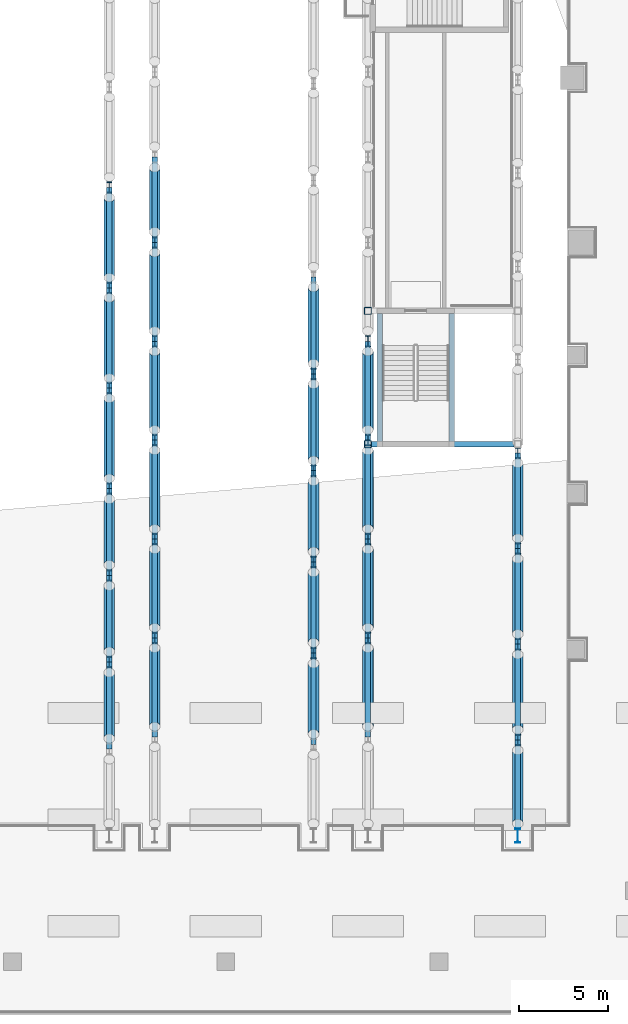
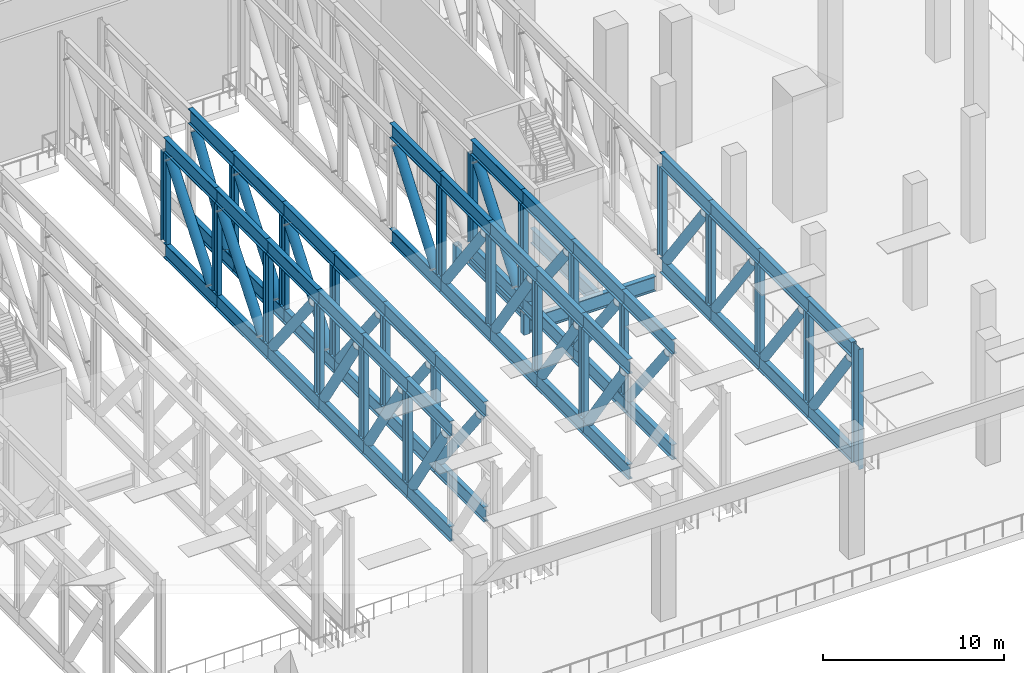
# One storey, part 5 of 33: 101 members, 3 beams.
"""IFC4 building model written with IfcOpenShell, lengths in metres."""

from ifc_helpers import new_model, si_unit, direction, frame, origin, origin_2d, place, context, subcontext, project, spatial, hollow_rectangle, hollow_circle, i_section, extrude, material, material_profile, profile_set, type_object, element, save


model = new_model("IFC4")

# Units and contexts
model_context = context("Model", 3, precision=1e-05, world=origin(), true_north=direction((0.0, 1.0)))
body_context = subcontext(model_context, "Body", "Model", "MODEL_VIEW")
ifc_project = project(units=[si_unit("LENGTHUNIT", "METRE"), si_unit("AREAUNIT", "SQUARE_METRE"), si_unit("VOLUMEUNIT", "CUBIC_METRE"), si_unit("PLANEANGLEUNIT", "RADIAN"), si_unit("MASSUNIT", "GRAM", prefix="KILO")], contexts=[model_context])

# Site, building, storey
site_placement = place(None, origin())
site = spatial("IfcSite", under=ifc_project, at=site_placement, CompositionType="ELEMENT")
building_placement = place(site_placement, origin())
building = spatial("IfcBuilding", under=site, at=building_placement, Name="Wharfspan Tower", CompositionType="ELEMENT")
storey_placement = place(building_placement, frame((0.0, 0.0, 33.0)))
storey = spatial("IfcBuildingStorey", under=building, at=storey_placement, Name="L05", CompositionType="ELEMENT", Elevation=33.0)

# Beams
ifc_material_1 = material(Name="Steel S460M", Category="steel")
ifc_material_profile_1 = material_profile(ifc_material_1, i_section(OverallWidth=0.302002, OverallDepth=1.008057, WebThickness=0.020996, FlangeThickness=0.040039, FilletRadius=0.030029, at=origin_2d()))
ifc_profile_set_1 = profile_set([ifc_material_profile_1], Name="Steel S460M")
beam_type = type_object("IfcBeamType", Name="Transfer girder HE 1000 M", PredefinedType="BEAM", material=ifc_profile_set_1)
beam_placement = place(storey_placement, frame((72.199951, 0.14209, -0.954102), z_axis=(1.0, 0.0, 0.0), x_axis=(0.0, 1.0, 0.0)))
element("IfcBeam", 1, at=beam_placement, inside=storey, type_object=beam_type, Name="Transfer girder", PredefinedType="BEAM", context=body_context, shape_type="SweptSolid", body=[
    extrude(i_section(OverallWidth=0.302002, OverallDepth=1.008057, WebThickness=0.020996, FlangeThickness=0.040039, FilletRadius=0.030029, at=origin_2d()), origin(), (0.0, 0.0, 1.0), 8.041992),
])
for number, where, z_axis, x_axis, name in (
    (2, (72.66748, 0.292969, -0.954102), (0.0, 1.0, 0.0), (-1.0, 0.0, 0.0), "Transfer girder"),
    (3, (76.717529, 0.292969, -0.954102), (0.0, 1.0, 0.0), (-1.0, 0.0, 0.0), "Transfer girder"),
):
    element("IfcBeam", number, at=place(storey_placement, frame(where, z_axis=z_axis, x_axis=x_axis)), inside=storey, type_object=beam_type, Name=name, PredefinedType="BEAM", context=body_context, shape_type="SweptSolid", body=[
        extrude(i_section(OverallWidth=0.302002, OverallDepth=1.008057, WebThickness=0.020996, FlangeThickness=0.040039, FilletRadius=0.030029, at=origin_2d()), origin(), (0.0, 0.0, 1.0), 7.197998),
    ])

# Members
ifc_material_2 = material(Name="Steel S460NH", Category="steel")
ifc_material_profile_2 = material_profile(ifc_material_2, hollow_rectangle(XDim=0.399902, YDim=0.399902, WallThickness=0.02002, InnerFilletRadius=0.02002, OuterFilletRadius=0.040039, at=origin_2d()))
ifc_profile_set_2 = profile_set([ifc_material_profile_2], Name="Steel S460NH")
member_type_1 = type_object("IfcMemberType", Name="Transfer hanger SHS 400x400x20", PredefinedType="POST", material=ifc_profile_set_2)
for number, where, z_axis, x_axis, name in (
    (4, (72.0, 0.14209, -1.458008), (0.0, 0.0, 1.0), (1.0, 0.0, 0.0), "Transfer hanger"),
    (5, (72.0, 7.64209, -1.458008), (0.0, 0.0, 1.0), (1.0, 0.0, 0.0), "Transfer hanger"),
):
    element("IfcMember", number, at=place(storey_placement, frame(where, z_axis=z_axis, x_axis=x_axis)), inside=storey, type_object=member_type_1, Name=name, PredefinedType="POST", context=body_context, shape_type="SweptSolid", body=[
        extrude(hollow_rectangle(XDim=0.399902, YDim=0.399902, WallThickness=0.02002, InnerFilletRadius=0.02002, OuterFilletRadius=0.040039, at=origin_2d()), origin(), (0.0, 0.0, 1.0), 1.458008),
    ])
ifc_material_profile_3 = material_profile(ifc_material_2, hollow_circle(Radius=0.304932, WallThickness=0.030029, at=origin_2d()))
ifc_profile_set_3 = profile_set([ifc_material_profile_3], Name="Steel S460NH")
member_type_2 = type_object("IfcMemberType", Name="Truss member CHS 610x30", PredefinedType="BRACE", material=ifc_profile_set_3)
member_1_placement = place(storey_placement, frame((57.441895, -16.424072, 6.933105), z_axis=(0.0, 0.540379, -0.841421), x_axis=(-1.0, 0.0, 0.0)))
element("IfcMember", 6, at=member_1_placement, inside=storey, type_object=member_type_2, Name="Truss diagonal T8", PredefinedType="BRACE", context=body_context, shape_type="SweptSolid", body=[
    extrude(hollow_circle(Radius=0.304932, WallThickness=0.030029, at=origin_2d()), origin(), (0.0, 0.0, 1.0), 6.852783),
])
member_2_placement = place(storey_placement, frame((57.441895, -11.539062, 6.933105), z_axis=(0.0, 0.540279, -0.841486), x_axis=(-1.0, 0.0, 0.0)))
element("IfcMember", 7, at=member_2_placement, inside=storey, type_object=member_type_2, Name="Truss diagonal T8", PredefinedType="BRACE", context=body_context, shape_type="SweptSolid", body=[
    extrude(hollow_circle(Radius=0.304932, WallThickness=0.030029, at=origin_2d()), origin(), (0.0, 0.0, 1.0), 6.852295),
])
member_3_placement = place(storey_placement, frame((57.441895, -6.655029, 6.933105), z_axis=(0.0, 0.540379, -0.841421), x_axis=(-1.0, 0.0, 0.0)))
element("IfcMember", 8, at=member_3_placement, inside=storey, type_object=member_type_2, Name="Truss diagonal T8", PredefinedType="BRACE", context=body_context, shape_type="SweptSolid", body=[
    extrude(hollow_circle(Radius=0.304932, WallThickness=0.030029, at=origin_2d()), origin(), (0.0, 0.0, 1.0), 6.852783),
])
for number, where, z_axis, x_axis, name in (
    (9, (57.441895, -1.784912, 6.910156), (0.0, 0.618256, -0.785977), (-1.0, 0.0, 0.0), "Truss diagonal T8"),
    (10, (57.441895, 8.366943, 6.910156), (0.0, -0.618256, -0.785977), (1.0, 0.0, 0.0), "Truss diagonal T8"),
):
    element("IfcMember", number, at=place(storey_placement, frame(where, z_axis=z_axis, x_axis=x_axis)), inside=storey, type_object=member_type_2, Name=name, PredefinedType="BRACE", context=body_context, shape_type="SweptSolid", body=[
        extrude(hollow_circle(Radius=0.304932, WallThickness=0.030029, at=origin_2d()), origin(), (0.0, 0.0, 1.0), 7.278076),
    ])
member_4_placement = place(storey_placement, frame((57.441895, 14.019775, 6.910156), z_axis=(0.0, -0.618338, -0.785912), x_axis=(1.0, 0.0, 0.0)))
element("IfcMember", 11, at=member_4_placement, inside=storey, type_object=member_type_2, Name="Truss diagonal T8", PredefinedType="BRACE", context=body_context, shape_type="SweptSolid", body=[
    extrude(hollow_circle(Radius=0.304932, WallThickness=0.030029, at=origin_2d()), origin(), (0.0, 0.0, 1.0), 7.278809),
])
member_5_placement = place(storey_placement, frame((60.0, -15.755127, 6.912598), z_axis=(0.0, 0.610274, -0.792191), x_axis=(-1.0, 0.0, 0.0)))
element("IfcMember", 12, at=member_5_placement, inside=storey, type_object=member_type_2, Name="Truss diagonal T9", PredefinedType="BRACE", context=body_context, shape_type="SweptSolid", body=[
    extrude(hollow_circle(Radius=0.304932, WallThickness=0.030029, at=origin_2d()), origin(), (0.0, 0.0, 1.0), 7.226807),
])
member_6_placement = place(storey_placement, frame((60.0, -10.189209, 6.912598), z_axis=(0.0, 0.610359, -0.792125), x_axis=(-1.0, 0.0, 0.0)))
element("IfcMember", 13, at=member_6_placement, inside=storey, type_object=member_type_2, Name="Truss diagonal T9", PredefinedType="BRACE", context=body_context, shape_type="SweptSolid", body=[
    extrude(hollow_circle(Radius=0.304932, WallThickness=0.030029, at=origin_2d()), origin(), (0.0, 0.0, 1.0), 7.227539),
])
member_7_placement = place(storey_placement, frame((60.0, -4.622314, 6.912598), z_axis=(0.0, 0.61038, -0.792109), x_axis=(-1.0, 0.0, 0.0)))
element("IfcMember", 14, at=member_7_placement, inside=storey, type_object=member_type_2, Name="Truss diagonal T9", PredefinedType="BRACE", context=body_context, shape_type="SweptSolid", body=[
    extrude(hollow_circle(Radius=0.304932, WallThickness=0.030029, at=origin_2d()), origin(), (0.0, 0.0, 1.0), 7.227783),
])
member_8_placement = place(storey_placement, frame((60.0, 5.355225, 6.912598), z_axis=(0.0, -0.610274, -0.792191), x_axis=(1.0, 0.0, 0.0)))
element("IfcMember", 15, at=member_8_placement, inside=storey, type_object=member_type_2, Name="Truss diagonal T9", PredefinedType="BRACE", context=body_context, shape_type="SweptSolid", body=[
    extrude(hollow_circle(Radius=0.304932, WallThickness=0.030029, at=origin_2d()), origin(), (0.0, 0.0, 1.0), 7.226807),
])
member_9_placement = place(storey_placement, frame((60.0, 10.922119, 6.912598), z_axis=(0.0, -0.610359, -0.792125), x_axis=(1.0, 0.0, 0.0)))
element("IfcMember", 16, at=member_9_placement, inside=storey, type_object=member_type_2, Name="Truss diagonal T9", PredefinedType="BRACE", context=body_context, shape_type="SweptSolid", body=[
    extrude(hollow_circle(Radius=0.304932, WallThickness=0.030029, at=origin_2d()), origin(), (0.0, 0.0, 1.0), 7.227539),
])
member_10_placement = place(storey_placement, frame((60.0, 15.70752, 6.935791), z_axis=(0.0, -0.530824, -0.847482), x_axis=(1.0, 0.0, 0.0)))
element("IfcMember", 17, at=member_10_placement, inside=storey, type_object=member_type_2, Name="Truss diagonal T9", PredefinedType="BRACE", context=body_context, shape_type="SweptSolid", body=[
    extrude(hollow_circle(Radius=0.304932, WallThickness=0.030029, at=origin_2d()), origin(), (0.0, 0.0, 1.0), 6.810059),
])
member_11_placement = place(storey_placement, frame((68.941895, -16.177979, 6.925049), z_axis=(0.0, 0.567651, -0.823269), x_axis=(-1.0, 0.0, 0.0)))
element("IfcMember", 18, at=member_11_placement, inside=storey, type_object=member_type_2, Name="Truss diagonal T10", PredefinedType="BRACE", context=body_context, shape_type="SweptSolid", body=[
    extrude(hollow_circle(Radius=0.304932, WallThickness=0.030029, at=origin_2d()), origin(), (0.0, 0.0, 1.0), 6.984619),
])
for number, where, z_axis, x_axis, name in (
    (19, (68.941895, -11.041016, 6.925049), (0.0, 0.567556, -0.823334), (-1.0, 0.0, 0.0), "Truss diagonal T10"),
    (20, (68.941895, -5.905029, 6.925049), (0.0, 0.567556, -0.823334), (-1.0, 0.0, 0.0), "Truss diagonal T10"),
):
    element("IfcMember", number, at=place(storey_placement, frame(where, z_axis=z_axis, x_axis=x_axis)), inside=storey, type_object=member_type_2, Name=name, PredefinedType="BRACE", context=body_context, shape_type="SweptSolid", body=[
        extrude(hollow_circle(Radius=0.304932, WallThickness=0.030029, at=origin_2d()), origin(), (0.0, 0.0, 1.0), 6.984131),
    ])
for number, where, z_axis, x_axis, name in (
    (21, (68.941895, -0.774902, 6.915771), (0.0, 0.599307, -0.800519), (-1.0, 0.0, 0.0), "Truss diagonal T10"),
    (22, (68.941895, 8.967041, 6.915771), (0.0, -0.599307, -0.800519), (1.0, 0.0, 0.0), "Truss diagonal T10"),
):
    element("IfcMember", number, at=place(storey_placement, frame(where, z_axis=z_axis, x_axis=x_axis)), inside=storey, type_object=member_type_2, Name=name, PredefinedType="BRACE", context=body_context, shape_type="SweptSolid", body=[
        extrude(hollow_circle(Radius=0.304932, WallThickness=0.030029, at=origin_2d()), origin(), (0.0, 0.0, 1.0), 7.159912),
    ])
member_12_placement = place(storey_placement, frame((72.0, -15.755127, 6.912598), z_axis=(0.0, 0.610274, -0.792191), x_axis=(-1.0, 0.0, 0.0)))
element("IfcMember", 23, at=member_12_placement, inside=storey, type_object=member_type_2, Name="Truss diagonal T11", PredefinedType="BRACE", context=body_context, shape_type="SweptSolid", body=[
    extrude(hollow_circle(Radius=0.304932, WallThickness=0.030029, at=origin_2d()), origin(), (0.0, 0.0, 1.0), 7.226807),
])
member_13_placement = place(storey_placement, frame((72.0, -10.189209, 6.912598), z_axis=(0.0, 0.610359, -0.792125), x_axis=(-1.0, 0.0, 0.0)))
element("IfcMember", 24, at=member_13_placement, inside=storey, type_object=member_type_2, Name="Truss diagonal T11", PredefinedType="BRACE", context=body_context, shape_type="SweptSolid", body=[
    extrude(hollow_circle(Radius=0.304932, WallThickness=0.030029, at=origin_2d()), origin(), (0.0, 0.0, 1.0), 7.227539),
])
member_14_placement = place(storey_placement, frame((72.0, -4.622314, 6.912598), z_axis=(0.0, 0.61038, -0.792109), x_axis=(-1.0, 0.0, 0.0)))
element("IfcMember", 25, at=member_14_placement, inside=storey, type_object=member_type_2, Name="Truss diagonal T11", PredefinedType="BRACE", context=body_context, shape_type="SweptSolid", body=[
    extrude(hollow_circle(Radius=0.304932, WallThickness=0.030029, at=origin_2d()), origin(), (0.0, 0.0, 1.0), 7.227783),
])
member_15_placement = place(storey_placement, frame((72.0, 5.355225, 6.912598), z_axis=(0.0, -0.610274, -0.792191), x_axis=(1.0, 0.0, 0.0)))
element("IfcMember", 26, at=member_15_placement, inside=storey, type_object=member_type_2, Name="Truss diagonal T11", PredefinedType="BRACE", context=body_context, shape_type="SweptSolid", body=[
    extrude(hollow_circle(Radius=0.304932, WallThickness=0.030029, at=origin_2d()), origin(), (0.0, 0.0, 1.0), 7.226807),
])
member_16_placement = place(storey_placement, frame((80.441895, -21.219971, 6.92041), z_axis=(0.0, 0.583513, -0.812104), x_axis=(-1.0, 0.0, 0.0)))
element("IfcMember", 27, at=member_16_placement, inside=storey, type_object=member_type_2, Name="Truss diagonal T12", PredefinedType="BRACE", context=body_context, shape_type="SweptSolid", body=[
    extrude(hollow_circle(Radius=0.304932, WallThickness=0.030029, at=origin_2d()), origin(), (0.0, 0.0, 1.0), 7.069336),
])
member_17_placement = place(storey_placement, frame((80.441895, -15.930908, 6.917725), z_axis=(0.0, 0.593157, -0.805087), x_axis=(-1.0, 0.0, 0.0)))
element("IfcMember", 28, at=member_17_placement, inside=storey, type_object=member_type_2, Name="Truss diagonal T12", PredefinedType="BRACE", context=body_context, shape_type="SweptSolid", body=[
    extrude(hollow_circle(Radius=0.304932, WallThickness=0.030029, at=origin_2d()), origin(), (0.0, 0.0, 1.0), 7.123779),
])
member_18_placement = place(storey_placement, frame((80.441895, -10.542725, 6.917725), z_axis=(0.0, 0.593068, -0.805152), x_axis=(-1.0, 0.0, 0.0)))
element("IfcMember", 29, at=member_18_placement, inside=storey, type_object=member_type_2, Name="Truss diagonal T12", PredefinedType="BRACE", context=body_context, shape_type="SweptSolid", body=[
    extrude(hollow_circle(Radius=0.304932, WallThickness=0.030029, at=origin_2d()), origin(), (0.0, 0.0, 1.0), 7.123291),
])
member_19_placement = place(storey_placement, frame((80.441895, -5.155762, 6.917725), z_axis=(0.0, 0.593157, -0.805087), x_axis=(-1.0, 0.0, 0.0)))
element("IfcMember", 30, at=member_19_placement, inside=storey, type_object=member_type_2, Name="Truss diagonal T12", PredefinedType="BRACE", context=body_context, shape_type="SweptSolid", body=[
    extrude(hollow_circle(Radius=0.304932, WallThickness=0.030029, at=origin_2d()), origin(), (0.0, 0.0, 1.0), 7.123779),
])
ifc_material_profile_4 = material_profile(ifc_material_1, i_section(OverallWidth=0.302002, OverallDepth=1.008057, WebThickness=0.020996, FlangeThickness=0.040039, FilletRadius=0.030029, at=origin_2d()))
ifc_profile_set_4 = profile_set([ifc_material_profile_4], Name="Steel S460M")
member_type_3 = type_object("IfcMemberType", Name="Truss member HE 1000 M", PredefinedType="CHORD", material=ifc_profile_set_4)
for number, where, z_axis, x_axis, name in (
    (31, (57.441895, -17.014893, 7.595947), (0.0, 1.0, 0.0), (-1.0, 0.0, 0.0), "Top chord T8"),
    (32, (57.441895, -17.014893, 0.503906), (0.0, 1.0, 0.0), (-1.0, 0.0, 0.0), "Bottom chord T8"),
):
    element("IfcMember", number, at=place(storey_placement, frame(where, z_axis=z_axis, x_axis=x_axis)), inside=storey, type_object=member_type_3, Name=name, PredefinedType="CHORD", context=body_context, shape_type="SweptSolid", body=[
        extrude(i_section(OverallWidth=0.302002, OverallDepth=1.008057, WebThickness=0.020996, FlangeThickness=0.040039, FilletRadius=0.030029, at=origin_2d()), origin(), (0.0, 0.0, 1.0), 4.88501),
    ])
for number, where, z_axis, x_axis, name in (
    (33, (57.441895, -12.129883, 7.595947), (0.0, 1.0, 0.0), (-1.0, 0.0, 0.0), "Top chord T8"),
    (34, (57.441895, -12.129883, 0.503906), (0.0, 1.0, 0.0), (-1.0, 0.0, 0.0), "Bottom chord T8"),
):
    element("IfcMember", number, at=place(storey_placement, frame(where, z_axis=z_axis, x_axis=x_axis)), inside=storey, type_object=member_type_3, Name=name, PredefinedType="CHORD", context=body_context, shape_type="SweptSolid", body=[
        extrude(i_section(OverallWidth=0.302002, OverallDepth=1.008057, WebThickness=0.020996, FlangeThickness=0.040039, FilletRadius=0.030029, at=origin_2d()), origin(), (0.0, 0.0, 1.0), 4.883789),
    ])
for number, where, z_axis, x_axis, name in (
    (35, (57.441895, -7.246094, 7.595947), (0.0, 1.0, 0.0), (-1.0, 0.0, 0.0), "Top chord T8"),
    (36, (57.441895, -7.246094, 0.503906), (0.0, 1.0, 0.0), (-1.0, 0.0, 0.0), "Bottom chord T8"),
):
    element("IfcMember", number, at=place(storey_placement, frame(where, z_axis=z_axis, x_axis=x_axis)), inside=storey, type_object=member_type_3, Name=name, PredefinedType="CHORD", context=body_context, shape_type="SweptSolid", body=[
        extrude(i_section(OverallWidth=0.302002, OverallDepth=1.008057, WebThickness=0.020996, FlangeThickness=0.040039, FilletRadius=0.030029, at=origin_2d()), origin(), (0.0, 0.0, 1.0), 4.88501),
    ])
for number, where, z_axis, x_axis, name in (
    (37, (57.441895, -2.361084, 7.595947), (0.0, 1.0, 0.0), (-1.0, 0.0, 0.0), "Top chord T8"),
    (38, (57.441895, -2.361084, 0.503906), (0.0, 1.0, 0.0), (-1.0, 0.0, 0.0), "Bottom chord T8"),
    (39, (57.441895, 3.291016, 7.595947), (0.0, 1.0, 0.0), (-1.0, 0.0, 0.0), "Top chord T8"),
    (40, (57.441895, 3.291016, 0.503906), (0.0, 1.0, 0.0), (-1.0, 0.0, 0.0), "Bottom chord T8"),
):
    element("IfcMember", number, at=place(storey_placement, frame(where, z_axis=z_axis, x_axis=x_axis)), inside=storey, type_object=member_type_3, Name=name, PredefinedType="CHORD", context=body_context, shape_type="SweptSolid", body=[
        extrude(i_section(OverallWidth=0.302002, OverallDepth=1.008057, WebThickness=0.020996, FlangeThickness=0.040039, FilletRadius=0.030029, at=origin_2d()), origin(), (0.0, 0.0, 1.0), 5.6521),
    ])
for number, where, z_axis, x_axis, name in (
    (41, (57.441895, 8.943115, 7.595947), (0.0, 1.0, 0.0), (-1.0, 0.0, 0.0), "Top chord T8"),
    (42, (57.441895, 8.943115, 0.503906), (0.0, 1.0, 0.0), (-1.0, 0.0, 0.0), "Bottom chord T8"),
):
    element("IfcMember", number, at=place(storey_placement, frame(where, z_axis=z_axis, x_axis=x_axis)), inside=storey, type_object=member_type_3, Name=name, PredefinedType="CHORD", context=body_context, shape_type="SweptSolid", body=[
        extrude(i_section(OverallWidth=0.302002, OverallDepth=1.008057, WebThickness=0.020996, FlangeThickness=0.040039, FilletRadius=0.030029, at=origin_2d()), origin(), (0.0, 0.0, 1.0), 5.652832),
    ])
for number, where, z_axis, x_axis, name in (
    (43, (60.0, -16.333008, 7.595947), (0.0, 1.0, 0.0), (-1.0, 0.0, 0.0), "Top chord T9"),
    (44, (60.0, -16.333008, 0.503906), (0.0, 1.0, 0.0), (-1.0, 0.0, 0.0), "Bottom chord T9"),
):
    element("IfcMember", number, at=place(storey_placement, frame(where, z_axis=z_axis, x_axis=x_axis)), inside=storey, type_object=member_type_3, Name=name, PredefinedType="CHORD", context=body_context, shape_type="SweptSolid", body=[
        extrude(i_section(OverallWidth=0.302002, OverallDepth=1.008057, WebThickness=0.020996, FlangeThickness=0.040039, FilletRadius=0.030029, at=origin_2d()), origin(), (0.0, 0.0, 1.0), 5.565918),
    ])
for number, where, z_axis, x_axis, name in (
    (45, (60.0, -10.76709, 7.595947), (0.0, 1.0, 0.0), (-1.0, 0.0, 0.0), "Top chord T9"),
    (46, (60.0, -10.76709, 0.503906), (0.0, 1.0, 0.0), (-1.0, 0.0, 0.0), "Bottom chord T9"),
):
    element("IfcMember", number, at=place(storey_placement, frame(where, z_axis=z_axis, x_axis=x_axis)), inside=storey, type_object=member_type_3, Name=name, PredefinedType="CHORD", context=body_context, shape_type="SweptSolid", body=[
        extrude(i_section(OverallWidth=0.302002, OverallDepth=1.008057, WebThickness=0.020996, FlangeThickness=0.040039, FilletRadius=0.030029, at=origin_2d()), origin(), (0.0, 0.0, 1.0), 5.567139),
    ])
for number, where, z_axis, x_axis, name in (
    (47, (60.0, -5.199951, 7.595947), (0.0, 1.0, 0.0), (-1.0, 0.0, 0.0), "Top chord T9"),
    (48, (60.0, -5.199951, 0.503906), (0.0, 1.0, 0.0), (-1.0, 0.0, 0.0), "Bottom chord T9"),
):
    element("IfcMember", number, at=place(storey_placement, frame(where, z_axis=z_axis, x_axis=x_axis)), inside=storey, type_object=member_type_3, Name=name, PredefinedType="CHORD", context=body_context, shape_type="SweptSolid", body=[
        extrude(i_section(OverallWidth=0.302002, OverallDepth=1.008057, WebThickness=0.020996, FlangeThickness=0.040039, FilletRadius=0.030029, at=origin_2d()), origin(), (0.0, 0.0, 1.0), 5.566895),
    ])
for number, where, z_axis, x_axis, name in (
    (49, (60.0, 0.366943, 7.595947), (0.0, 1.0, 0.0), (-1.0, 0.0, 0.0), "Top chord T9"),
    (50, (60.0, 0.366943, 0.503906), (0.0, 1.0, 0.0), (-1.0, 0.0, 0.0), "Bottom chord T9"),
):
    element("IfcMember", number, at=place(storey_placement, frame(where, z_axis=z_axis, x_axis=x_axis)), inside=storey, type_object=member_type_3, Name=name, PredefinedType="CHORD", context=body_context, shape_type="SweptSolid", body=[
        extrude(i_section(OverallWidth=0.302002, OverallDepth=1.008057, WebThickness=0.020996, FlangeThickness=0.040039, FilletRadius=0.030029, at=origin_2d()), origin(), (0.0, 0.0, 1.0), 5.566162),
    ])
for number, where, z_axis, x_axis, name in (
    (51, (60.0, 5.933105, 7.595947), (0.0, 1.0, 0.0), (-1.0, 0.0, 0.0), "Top chord T9"),
    (52, (60.0, 5.933105, 0.503906), (0.0, 1.0, 0.0), (-1.0, 0.0, 0.0), "Bottom chord T9"),
):
    element("IfcMember", number, at=place(storey_placement, frame(where, z_axis=z_axis, x_axis=x_axis)), inside=storey, type_object=member_type_3, Name=name, PredefinedType="CHORD", context=body_context, shape_type="SweptSolid", body=[
        extrude(i_section(OverallWidth=0.302002, OverallDepth=1.008057, WebThickness=0.020996, FlangeThickness=0.040039, FilletRadius=0.030029, at=origin_2d()), origin(), (0.0, 0.0, 1.0), 5.566895),
    ])
for number, where, z_axis, x_axis, name in (
    (53, (60.0, 11.5, 7.595947), (0.0, 1.0, 0.0), (-1.0, 0.0, 0.0), "Top chord T9"),
    (54, (60.0, 11.5, 0.503906), (0.0, 1.0, 0.0), (-1.0, 0.0, 0.0), "Bottom chord T9"),
):
    element("IfcMember", number, at=place(storey_placement, frame(where, z_axis=z_axis, x_axis=x_axis)), inside=storey, type_object=member_type_3, Name=name, PredefinedType="CHORD", context=body_context, shape_type="SweptSolid", body=[
        extrude(i_section(OverallWidth=0.302002, OverallDepth=1.008057, WebThickness=0.020996, FlangeThickness=0.040039, FilletRadius=0.030029, at=origin_2d()), origin(), (0.0, 0.0, 1.0), 4.800049),
    ])
for number, where, z_axis, x_axis, name in (
    (55, (68.941895, -16.763916, 7.595947), (0.0, 1.0, 0.0), (-1.0, 0.0, 0.0), "Top chord T10"),
    (56, (68.941895, -16.763916, 0.503906), (0.0, 1.0, 0.0), (-1.0, 0.0, 0.0), "Bottom chord T10"),
):
    element("IfcMember", number, at=place(storey_placement, frame(where, z_axis=z_axis, x_axis=x_axis)), inside=storey, type_object=member_type_3, Name=name, PredefinedType="CHORD", context=body_context, shape_type="SweptSolid", body=[
        extrude(i_section(OverallWidth=0.302002, OverallDepth=1.008057, WebThickness=0.020996, FlangeThickness=0.040039, FilletRadius=0.030029, at=origin_2d()), origin(), (0.0, 0.0, 1.0), 5.136963),
    ])
for number, where, z_axis, x_axis, name in (
    (57, (68.941895, -11.626953, 7.595947), (0.0, 1.0, 0.0), (-1.0, 0.0, 0.0), "Top chord T10"),
    (58, (68.941895, -11.626953, 0.503906), (0.0, 1.0, 0.0), (-1.0, 0.0, 0.0), "Bottom chord T10"),
    (59, (68.941895, -6.490967, 7.595947), (0.0, 1.0, 0.0), (-1.0, 0.0, 0.0), "Top chord T10"),
    (60, (68.941895, -6.490967, 0.503906), (0.0, 1.0, 0.0), (-1.0, 0.0, 0.0), "Bottom chord T10"),
):
    element("IfcMember", number, at=place(storey_placement, frame(where, z_axis=z_axis, x_axis=x_axis)), inside=storey, type_object=member_type_3, Name=name, PredefinedType="CHORD", context=body_context, shape_type="SweptSolid", body=[
        extrude(i_section(OverallWidth=0.302002, OverallDepth=1.008057, WebThickness=0.020996, FlangeThickness=0.040039, FilletRadius=0.030029, at=origin_2d()), origin(), (0.0, 0.0, 1.0), 5.135986),
    ])
for number, where, z_axis, x_axis, name in (
    (61, (68.941895, -1.35498, 7.595947), (0.0, 1.0, 0.0), (-1.0, 0.0, 0.0), "Top chord T10"),
    (62, (68.941895, -1.35498, 0.503906), (0.0, 1.0, 0.0), (-1.0, 0.0, 0.0), "Bottom chord T10"),
):
    element("IfcMember", number, at=place(storey_placement, frame(where, z_axis=z_axis, x_axis=x_axis)), inside=storey, type_object=member_type_3, Name=name, PredefinedType="CHORD", context=body_context, shape_type="SweptSolid", body=[
        extrude(i_section(OverallWidth=0.302002, OverallDepth=1.008057, WebThickness=0.020996, FlangeThickness=0.040039, FilletRadius=0.030029, at=origin_2d()), origin(), (0.0, 0.0, 1.0), 5.450928),
    ])
for number, where, z_axis, x_axis, name in (
    (63, (68.941895, 4.095947, 7.595947), (0.0, 1.0, 0.0), (-1.0, 0.0, 0.0), "Top chord T10"),
    (64, (68.941895, 4.095947, 0.503906), (0.0, 1.0, 0.0), (-1.0, 0.0, 0.0), "Bottom chord T10"),
):
    element("IfcMember", number, at=place(storey_placement, frame(where, z_axis=z_axis, x_axis=x_axis)), inside=storey, type_object=member_type_3, Name=name, PredefinedType="CHORD", context=body_context, shape_type="SweptSolid", body=[
        extrude(i_section(OverallWidth=0.302002, OverallDepth=1.008057, WebThickness=0.020996, FlangeThickness=0.040039, FilletRadius=0.030029, at=origin_2d()), origin(), (0.0, 0.0, 1.0), 5.451172),
    ])
for number, where, z_axis, x_axis, name in (
    (65, (72.0, -16.333008, 7.595947), (0.0, 1.0, 0.0), (-1.0, 0.0, 0.0), "Top chord T11"),
    (66, (72.0, -16.333008, 0.503906), (0.0, 1.0, 0.0), (-1.0, 0.0, 0.0), "Bottom chord T11"),
):
    element("IfcMember", number, at=place(storey_placement, frame(where, z_axis=z_axis, x_axis=x_axis)), inside=storey, type_object=member_type_3, Name=name, PredefinedType="CHORD", context=body_context, shape_type="SweptSolid", body=[
        extrude(i_section(OverallWidth=0.302002, OverallDepth=1.008057, WebThickness=0.020996, FlangeThickness=0.040039, FilletRadius=0.030029, at=origin_2d()), origin(), (0.0, 0.0, 1.0), 5.565918),
    ])
for number, where, z_axis, x_axis, name in (
    (67, (72.0, -10.76709, 7.595947), (0.0, 1.0, 0.0), (-1.0, 0.0, 0.0), "Top chord T11"),
    (68, (72.0, -10.76709, 0.503906), (0.0, 1.0, 0.0), (-1.0, 0.0, 0.0), "Bottom chord T11"),
):
    element("IfcMember", number, at=place(storey_placement, frame(where, z_axis=z_axis, x_axis=x_axis)), inside=storey, type_object=member_type_3, Name=name, PredefinedType="CHORD", context=body_context, shape_type="SweptSolid", body=[
        extrude(i_section(OverallWidth=0.302002, OverallDepth=1.008057, WebThickness=0.020996, FlangeThickness=0.040039, FilletRadius=0.030029, at=origin_2d()), origin(), (0.0, 0.0, 1.0), 5.567139),
    ])
for number, where, z_axis, x_axis, name in (
    (69, (72.0, -5.199951, 7.595947), (0.0, 1.0, 0.0), (-1.0, 0.0, 0.0), "Top chord T11"),
    (70, (72.0, -5.199951, 0.503906), (0.0, 1.0, 0.0), (-1.0, 0.0, 0.0), "Bottom chord T11"),
):
    element("IfcMember", number, at=place(storey_placement, frame(where, z_axis=z_axis, x_axis=x_axis)), inside=storey, type_object=member_type_3, Name=name, PredefinedType="CHORD", context=body_context, shape_type="SweptSolid", body=[
        extrude(i_section(OverallWidth=0.302002, OverallDepth=1.008057, WebThickness=0.020996, FlangeThickness=0.040039, FilletRadius=0.030029, at=origin_2d()), origin(), (0.0, 0.0, 1.0), 5.566895),
    ])
for number, where, z_axis, x_axis, name in (
    (71, (72.0, 0.366943, 7.595947), (0.0, 1.0, 0.0), (-1.0, 0.0, 0.0), "Top chord T11"),
    (72, (72.0, 0.366943, 0.503906), (0.0, 1.0, 0.0), (-1.0, 0.0, 0.0), "Bottom chord T11"),
):
    element("IfcMember", number, at=place(storey_placement, frame(where, z_axis=z_axis, x_axis=x_axis)), inside=storey, type_object=member_type_3, Name=name, PredefinedType="CHORD", context=body_context, shape_type="SweptSolid", body=[
        extrude(i_section(OverallWidth=0.302002, OverallDepth=1.008057, WebThickness=0.020996, FlangeThickness=0.040039, FilletRadius=0.030029, at=origin_2d()), origin(), (0.0, 0.0, 1.0), 5.566162),
    ])
for number, where, z_axis, x_axis, name in (
    (73, (80.441895, -21.49292, 7.595947), (0.0, 1.0, 0.0), (-1.0, 0.0, 0.0), "Top chord T12"),
    (74, (80.441895, -21.49292, 0.503906), (0.0, 1.0, 0.0), (-1.0, 0.0, 0.0), "Bottom chord T12"),
):
    element("IfcMember", number, at=place(storey_placement, frame(where, z_axis=z_axis, x_axis=x_axis)), inside=storey, type_object=member_type_3, Name=name, PredefinedType="CHORD", context=body_context, shape_type="SweptSolid", body=[
        extrude(i_section(OverallWidth=0.302002, OverallDepth=1.008057, WebThickness=0.020996, FlangeThickness=0.040039, FilletRadius=0.030029, at=origin_2d()), origin(), (0.0, 0.0, 1.0), 4.980957),
    ])
for number, where, z_axis, x_axis, name in (
    (75, (80.441895, -16.511963, 7.595947), (0.0, 1.0, 0.0), (-1.0, 0.0, 0.0), "Top chord T12"),
    (76, (80.441895, -16.511963, 0.503906), (0.0, 1.0, 0.0), (-1.0, 0.0, 0.0), "Bottom chord T12"),
):
    element("IfcMember", number, at=place(storey_placement, frame(where, z_axis=z_axis, x_axis=x_axis)), inside=storey, type_object=member_type_3, Name=name, PredefinedType="CHORD", context=body_context, shape_type="SweptSolid", body=[
        extrude(i_section(OverallWidth=0.302002, OverallDepth=1.008057, WebThickness=0.020996, FlangeThickness=0.040039, FilletRadius=0.030029, at=origin_2d()), origin(), (0.0, 0.0, 1.0), 5.387939),
    ])
for number, where, z_axis, x_axis, name in (
    (77, (80.441895, -11.124023, 7.595947), (0.0, 1.0, 0.0), (-1.0, 0.0, 0.0), "Top chord T12"),
    (78, (80.441895, -11.124023, 0.503906), (0.0, 1.0, 0.0), (-1.0, 0.0, 0.0), "Bottom chord T12"),
):
    element("IfcMember", number, at=place(storey_placement, frame(where, z_axis=z_axis, x_axis=x_axis)), inside=storey, type_object=member_type_3, Name=name, PredefinedType="CHORD", context=body_context, shape_type="SweptSolid", body=[
        extrude(i_section(OverallWidth=0.302002, OverallDepth=1.008057, WebThickness=0.020996, FlangeThickness=0.040039, FilletRadius=0.030029, at=origin_2d()), origin(), (0.0, 0.0, 1.0), 5.386963),
    ])
for number, where, z_axis, x_axis, name in (
    (79, (80.441895, -5.737061, 7.595947), (0.0, 1.0, 0.0), (-1.0, 0.0, 0.0), "Top chord T12"),
    (80, (80.441895, -5.737061, 0.503906), (0.0, 1.0, 0.0), (-1.0, 0.0, 0.0), "Bottom chord T12"),
):
    element("IfcMember", number, at=place(storey_placement, frame(where, z_axis=z_axis, x_axis=x_axis)), inside=storey, type_object=member_type_3, Name=name, PredefinedType="CHORD", context=body_context, shape_type="SweptSolid", body=[
        extrude(i_section(OverallWidth=0.302002, OverallDepth=1.008057, WebThickness=0.020996, FlangeThickness=0.040039, FilletRadius=0.030029, at=origin_2d()), origin(), (0.0, 0.0, 1.0), 5.387939),
    ])
ifc_material_profile_5 = material_profile(ifc_material_1, i_section(OverallWidth=0.304932, OverallDepth=0.620117, WebThickness=0.020996, FlangeThickness=0.040039, FilletRadius=0.0271, at=origin_2d()))
ifc_profile_set_5 = profile_set([ifc_material_profile_5], Name="Steel S460M")
member_type_4 = type_object("IfcMemberType", Name="Truss member HE 600 M", PredefinedType="CHORD", material=ifc_profile_set_5)
for number, where, z_axis, x_axis, name in (
    (81, (57.441895, -12.129883, 1.008057), (0.0, 0.0, 1.0), (1.0, 0.0, 0.0), "Truss post T8"),
    (82, (57.441895, -7.246094, 1.008057), (0.0, 0.0, 1.0), (1.0, 0.0, 0.0), "Truss post T8"),
    (83, (57.441895, -2.361084, 1.008057), (0.0, 0.0, 1.0), (1.0, 0.0, 0.0), "Truss post T8"),
    (84, (57.441895, 3.291016, 1.008057), (0.0, 0.0, 1.0), (1.0, 0.0, 0.0), "Truss post T8"),
    (85, (57.441895, 8.943115, 1.008057), (0.0, 0.0, 1.0), (1.0, 0.0, 0.0), "Truss post T8"),
    (86, (57.441895, 14.595947, 1.008057), (0.0, 0.0, 1.0), (1.0, 0.0, 0.0), "Truss post T8"),
    (87, (60.0, -10.76709, 1.008057), (0.0, 0.0, 1.0), (1.0, 0.0, 0.0), "Truss post T9"),
    (88, (60.0, -5.199951, 1.008057), (0.0, 0.0, 1.0), (1.0, 0.0, 0.0), "Truss post T9"),
    (89, (60.0, 0.366943, 1.008057), (0.0, 0.0, 1.0), (1.0, 0.0, 0.0), "Truss post T9"),
    (90, (60.0, 5.933105, 1.008057), (0.0, 0.0, 1.0), (1.0, 0.0, 0.0), "Truss post T9"),
    (91, (60.0, 11.5, 1.008057), (0.0, 0.0, 1.0), (1.0, 0.0, 0.0), "Truss post T9"),
    (92, (68.941895, -11.626953, 1.008057), (0.0, 0.0, 1.0), (1.0, 0.0, 0.0), "Truss post T10"),
    (93, (68.941895, -6.490967, 1.008057), (0.0, 0.0, 1.0), (1.0, 0.0, 0.0), "Truss post T10"),
    (94, (68.941895, -1.35498, 1.008057), (0.0, 0.0, 1.0), (1.0, 0.0, 0.0), "Truss post T10"),
    (95, (68.941895, 4.095947, 1.008057), (0.0, 0.0, 1.0), (1.0, 0.0, 0.0), "Truss post T10"),
    (96, (72.0, -10.76709, 1.008057), (0.0, 0.0, 1.0), (1.0, 0.0, 0.0), "Truss post T11"),
    (97, (72.0, -5.199951, 1.008057), (0.0, 0.0, 1.0), (1.0, 0.0, 0.0), "Truss post T11"),
    (98, (72.0, 0.366943, 1.008057), (0.0, 0.0, 1.0), (1.0, 0.0, 0.0), "Truss post T11"),
    (99, (72.0, 5.933105, 1.008057), (0.0, 0.0, 1.0), (1.0, 0.0, 0.0), "Truss post T11"),
    (100, (80.441895, -16.511963, 1.008057), (0.0, 0.0, 1.0), (1.0, 0.0, 0.0), "Truss post T12"),
    (101, (80.441895, -11.124023, 1.008057), (0.0, 0.0, 1.0), (1.0, 0.0, 0.0), "Truss post T12"),
    (102, (80.441895, -5.737061, 1.008057), (0.0, 0.0, 1.0), (1.0, 0.0, 0.0), "Truss post T12"),
    (103, (80.441895, -0.349121, 1.008057), (0.0, 0.0, 1.0), (1.0, 0.0, 0.0), "Truss post T12"),
):
    element("IfcMember", number, at=place(storey_placement, frame(where, z_axis=z_axis, x_axis=x_axis)), inside=storey, type_object=member_type_4, Name=name, PredefinedType="CHORD", context=body_context, shape_type="SweptSolid", body=[
        extrude(i_section(OverallWidth=0.304932, OverallDepth=0.620117, WebThickness=0.020996, FlangeThickness=0.040039, FilletRadius=0.0271, at=origin_2d()), origin(), (0.0, 0.0, 1.0), 6.083984),
    ])
ifc_material_profile_6 = material_profile(ifc_material_1, i_section(OverallWidth=0.302979, OverallDepth=0.813965, WebThickness=0.020996, FlangeThickness=0.040039, FilletRadius=0.030029, at=origin_2d()))
ifc_profile_set_6 = profile_set([ifc_material_profile_6], Name="Steel S460M")
member_type_5 = type_object("IfcMemberType", Name="Truss member HE 800 M", PredefinedType="CHORD", material=ifc_profile_set_6)
member_20_placement = place(storey_placement, frame((80.441895, -21.899902, 0.0), z_axis=(0.0, 0.0, 1.0), x_axis=(1.0, 0.0, 0.0)))
element("IfcMember", 104, at=member_20_placement, inside=storey, type_object=member_type_5, Name="Truss post T12", PredefinedType="CHORD", context=body_context, shape_type="SweptSolid", body=[
    extrude(i_section(OverallWidth=0.302979, OverallDepth=0.813965, WebThickness=0.020996, FlangeThickness=0.040039, FilletRadius=0.030029, at=origin_2d()), origin(), (0.0, 0.0, 1.0), 8.100098),
])

save(model, "model.ifc")
